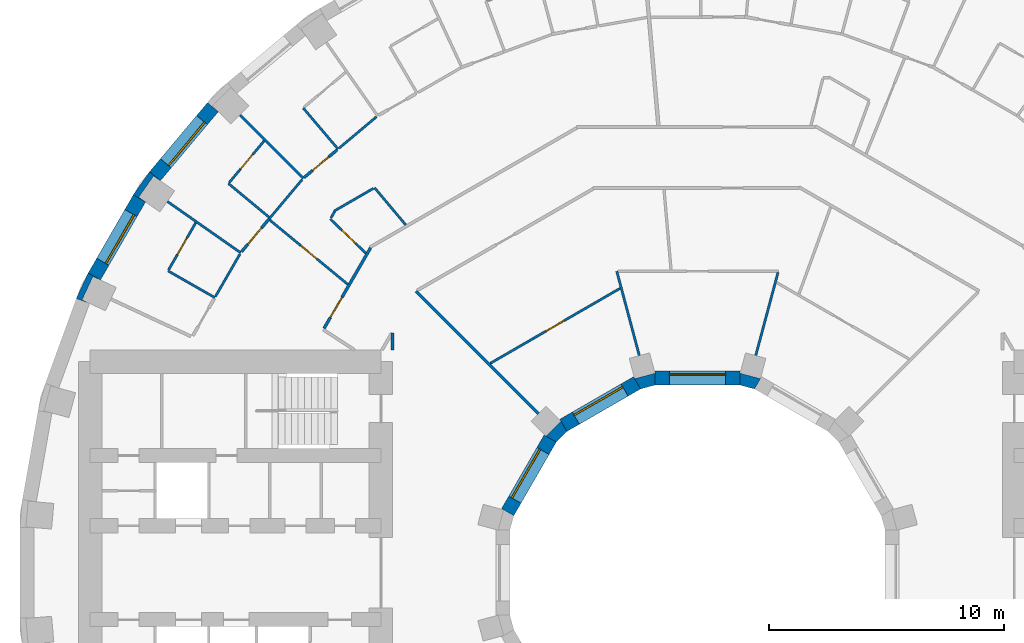
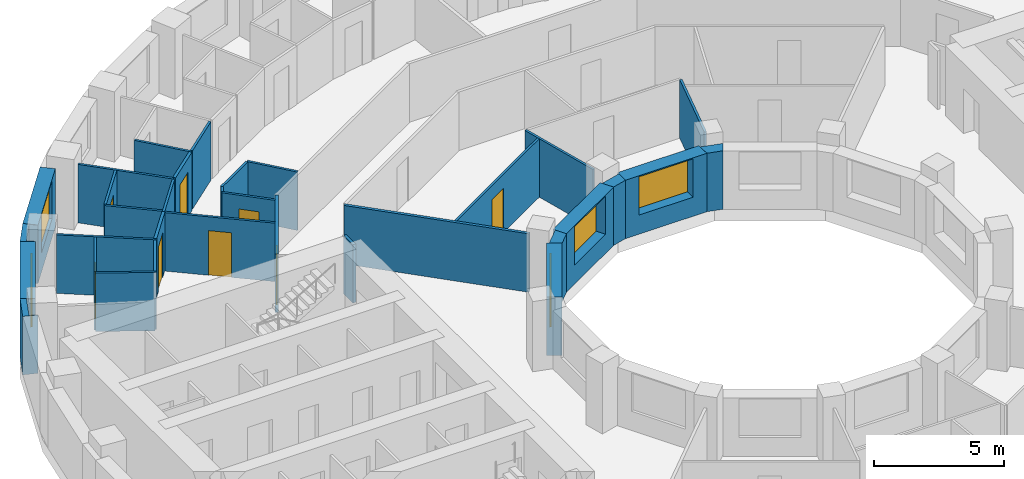
# One storey, part 10 of 15: 33 walls, 8 doors, 5 windows, 13 openings.
"""IFC4 building model written with IfcOpenShell, lengths in metres."""

from ifc_helpers import new_model, si_unit, direction, frame, frame_2d, origin, place, context, subcontext, project, spatial, polyline, rectangle, outline, extrude, material, layer, layer_set, type_object, element, fill, save


model = new_model("IFC4")

# Units and contexts
model_context = context("Model", 3, precision=1e-05, world=origin(), true_north=direction((0.0, 1.0)))
body_context = subcontext(model_context, "Body", "Model", "MODEL_VIEW")
ifc_project = project(units=[si_unit("LENGTHUNIT", "METRE"), si_unit("AREAUNIT", "SQUARE_METRE"), si_unit("VOLUMEUNIT", "CUBIC_METRE"), si_unit("PLANEANGLEUNIT", "RADIAN"), si_unit("MASSUNIT", "GRAM", prefix="KILO")], contexts=[model_context])

# Site, building, storey
site_placement = place(None, origin())
site = spatial("IfcSite", under=ifc_project, at=site_placement, CompositionType="ELEMENT")
building_placement = place(site_placement, origin())
building = spatial("IfcBuilding", under=site, at=building_placement, Name="Saqina Gate Tower", CompositionType="ELEMENT")
storey_placement = place(building_placement, frame((0.0, 0.0, 62.60009765625)))
storey = spatial("IfcBuildingStorey", under=building, at=storey_placement, Name="L17", CompositionType="ELEMENT", Elevation=62.60009765625)

# Walls
ifc_material_1 = material(Name="Brick masonry (red)", Category="masonry")
wall_type_1 = type_object("IfcWallType", Name="BRICK PIER COPING RED", PredefinedType="SOLIDWALL", material=ifc_material_1)
wall_1_placement = place(storey_placement, origin())
element("IfcWall", 1, at=wall_1_placement, inside=storey, type_object=wall_type_1, Name="Pier cap L17 column 15", PredefinedType="SOLIDWALL", context=body_context, shape_type="SweptSolid", body=[
    extrude(outline(polyline([(-23.36669921875, 17.096923828125), (-24.0576171875, 16.110107421875), (-23.5380859375, 15.81005859375), (-23.8251953125, 16.010986328125), (-23.194091796875, 16.912109375), (-22.9072265625, 16.711181640625), (-23.36669921875, 17.096923828125)])), origin(), (0.0, 0.0, 1.0), 2.75),
])
wall_2_placement = place(storey_placement, origin())
element("IfcWall", 2, at=wall_2_placement, inside=storey, type_object=wall_type_1, Name="Pier cap L17 column 16", PredefinedType="SOLIDWALL", context=body_context, shape_type="SweptSolid", body=[
    extrude(outline(polyline([(-26.48974609375, 11.687744140625), (-25.92578125, 11.482666015625), (-26.243408203125, 11.630615234375), (-25.778564453125, 12.627685546875), (-25.4609375, 12.4794921875), (-25.980712890625, 12.779541015625), (-26.48974609375, 11.687744140625)])), origin(), (0.0, 0.0, 1.0), 2.75),
])

# Wall, opening, window
ifc_material_2 = material(Name="Brick masonry (red)", Category="masonry")
ifc_layer_1 = layer(ifc_material_2, 0.60009765625)
ifc_layer_set_1 = layer_set([ifc_layer_1], Name="FW-BRICK-RED")
wall_type_2 = type_object("IfcWallType", Name="FW-BRICK-RED", PredefinedType="SOLIDWALL", material=ifc_layer_set_1)
wall_3_placement = place(storey_placement, frame((-20.664794921875, 19.85009765625, 0.0), z_axis=(0.0, 0.0, 1.0), x_axis=(-0.642809392687, -0.766026164483, 0.0)))
wall_3 = element("IfcWall", 3, at=wall_3_placement, inside=storey, type_object=wall_type_2, Name="Facade wall L17 facet 14", PredefinedType="SOLIDWALL", context=body_context, shape_type="SweptSolid", body=[
    extrude(rectangle(XDim=3.845947265625, YDim=0.60009765625, at=frame_2d((1.9228515625, 0.0))), origin(), (0.0, 0.0, 1.0), 2.75),
])
opening_1_placement = place(wall_3_placement, frame((0.722900390625, 0.0, 0.89990234375)))
opening_1 = element("IfcOpeningElement", 4, at=opening_1_placement, cuts=wall_3, Name="Opening G04-W09", PredefinedType="OPENING", context=body_context, shape_type="SweptSolid", body=[
    extrude(rectangle(XDim=2.39990234375, YDim=1.800048828125, at=frame_2d((1.199951171875, 0.89990234375))), frame((0.0, 0.31201171875, 0.0), z_axis=(0.0, -1.0, 0.0), x_axis=(1.0, 0.0, 0.0)), (0.0, 0.0, 1.0), 0.6240234375),
])
ifc_material_3 = material(Name="Aluminium glazing", Category="aluminium")
window_type_1 = type_object("IfcWindowType", Name="WN-A", PartitioningType="SINGLE_PANEL", PredefinedType="WINDOW", material=ifc_material_3)
window_1_placement = place(opening_1_placement, origin())
window_1 = element("IfcWindow", 5, at=window_1_placement, inside=storey, type_object=window_type_1, Name="Window L17 facet 14", OverallHeight=1.800048828125, OverallWidth=2.39990234375, PartitioningType="SINGLE_PANEL", PredefinedType="WINDOW", context=body_context, shape_type="SweptSolid", body=[
    extrude(rectangle(XDim=2.39990234375, YDim=1.800048828125, at=frame_2d((1.199951171875, 0.89990234375))), frame((0.0, 0.179931640625, 0.0), z_axis=(0.0, -1.0, 0.0), x_axis=(1.0, 0.0, 0.0)), (0.0, 0.0, 1.0), 0.06005859375),
])
fill(opening_1, window_1)

wall_4_placement = place(storey_placement, frame((-23.7978515625, 15.960205078125, 0.0), z_axis=(0.0, 0.0, 1.0), x_axis=(-0.499989888488, -0.86603124159, 0.0)))
wall_4 = element("IfcWall", 6, at=wall_4_placement, inside=storey, type_object=wall_type_2, Name="Facade wall L17 facet 15", PredefinedType="SOLIDWALL", context=body_context, shape_type="SweptSolid", body=[
    extrude(rectangle(XDim=3.845703125, YDim=0.60009765625, at=frame_2d((1.9228515625, 0.0))), origin(), (0.0, 0.0, 1.0), 2.75),
])
opening_2_placement = place(wall_4_placement, frame((0.722900390625, 0.0, 0.89990234375)))
opening_2 = element("IfcOpeningElement", 7, at=opening_2_placement, cuts=wall_4, Name="Opening G04-W10", PredefinedType="OPENING", context=body_context, shape_type="SweptSolid", body=[
    extrude(rectangle(XDim=2.39990234375, YDim=1.800048828125, at=frame_2d((1.199951171875, 0.89990234375))), frame((0.0, 0.31201171875, 0.0), z_axis=(0.0, -1.0, 0.0), x_axis=(1.0, 0.0, 0.0)), (0.0, 0.0, 1.0), 0.6240234375),
])
window_2_placement = place(opening_2_placement, origin())
window_2 = element("IfcWindow", 8, at=window_2_placement, inside=storey, type_object=window_type_1, Name="Window L17 facet 15", OverallHeight=1.800048828125, OverallWidth=2.39990234375, PartitioningType="SINGLE_PANEL", PredefinedType="WINDOW", context=body_context, shape_type="SweptSolid", body=[
    extrude(rectangle(XDim=2.39990234375, YDim=1.800048828125, at=frame_2d((1.199951171875, 0.89990234375))), frame((0.0, 0.179931640625, 0.0), z_axis=(0.0, -1.0, 0.0), x_axis=(1.0, 0.0, 0.0)), (0.0, 0.0, 1.0), 0.06005859375),
])
fill(opening_2, window_2)

ifc_material_4 = material(Name="Glazed ceramic tile", Category="ceramic")
ifc_layer_2 = layer(ifc_material_4, 0.60009765625)
ifc_layer_set_2 = layer_set([ifc_layer_2], Name="IW-TILE")
wall_type_3 = type_object("IfcWallType", Name="IW-TILE", PredefinedType="SOLIDWALL", material=ifc_layer_set_2)
wall_5_placement = place(storey_placement, frame((1.8125, 8.300048828125, 0.0), z_axis=(0.0, 0.0, 1.0), x_axis=(-1.0, 0.0, 0.0)))
wall_5 = element("IfcWall", 9, at=wall_5_placement, inside=storey, type_object=wall_type_3, Name="Well wall L17 facet 3", PredefinedType="SOLIDWALL", context=body_context, shape_type="SweptSolid", body=[
    extrude(rectangle(XDim=3.625, YDim=0.60009765625, at=frame_2d((1.8125, 0.0))), origin(), (0.0, 0.0, 1.0), 2.75),
])
opening_3_placement = place(wall_5_placement, frame((0.612548828125, 0.0, 0.89990234375)))
opening_3 = element("IfcOpeningElement", 10, at=opening_3_placement, cuts=wall_5, Name="Opening G04-W26", PredefinedType="OPENING", context=body_context, shape_type="SweptSolid", body=[
    extrude(rectangle(XDim=2.39990234375, YDim=1.800048828125, at=frame_2d((1.199951171875, 0.89990234375))), frame((0.0, 0.31201171875, 0.0), z_axis=(0.0, -1.0, 0.0), x_axis=(1.0, 0.0, 0.0)), (0.0, 0.0, 1.0), 0.6240234375),
])
ifc_material_5 = material(Name="Aluminium glazing", Category="aluminium")
window_type_2 = type_object("IfcWindowType", Name="WN-W", PartitioningType="SINGLE_PANEL", PredefinedType="WINDOW", material=ifc_material_5)
window_3_placement = place(opening_3_placement, origin())
window_3 = element("IfcWindow", 11, at=window_3_placement, inside=storey, type_object=window_type_2, Name="Well window L17 facet 3", OverallHeight=1.800048828125, OverallWidth=2.39990234375, PartitioningType="SINGLE_PANEL", PredefinedType="WINDOW", context=body_context, shape_type="SweptSolid", body=[
    extrude(rectangle(XDim=2.39990234375, YDim=1.800048828125, at=frame_2d((1.199951171875, 0.89990234375))), frame((0.0, -0.119873046875, 0.0), z_axis=(0.0, -1.0, 0.0), x_axis=(1.0, 0.0, 0.0)), (0.0, 0.0, 1.0), 0.06005859375),
])
fill(opening_3, window_3)

wall_6_placement = place(storey_placement, frame((-2.580322265625, 8.09423828125, 0.0), z_axis=(0.0, 0.0, 1.0), x_axis=(-0.866029693906, -0.499992569217, 0.0)))
wall_6 = element("IfcWall", 12, at=wall_6_placement, inside=storey, type_object=wall_type_3, Name="Well wall L17 facet 4", PredefinedType="SOLIDWALL", context=body_context, shape_type="SweptSolid", body=[
    extrude(rectangle(XDim=3.625, YDim=0.60009765625, at=frame_2d((1.8125, 0.0))), origin(), (0.0, 0.0, 1.0), 2.75),
])
opening_4_placement = place(wall_6_placement, frame((0.612548828125, 0.0, 0.89990234375)))
opening_4 = element("IfcOpeningElement", 13, at=opening_4_placement, cuts=wall_6, Name="Opening G04-W27", PredefinedType="OPENING", context=body_context, shape_type="SweptSolid", body=[
    extrude(rectangle(XDim=2.39990234375, YDim=1.800048828125, at=frame_2d((1.199951171875, 0.89990234375))), frame((0.0, 0.31201171875, 0.0), z_axis=(0.0, -1.0, 0.0), x_axis=(1.0, 0.0, 0.0)), (0.0, 0.0, 1.0), 0.6240234375),
])
window_4_placement = place(opening_4_placement, origin())
window_4 = element("IfcWindow", 14, at=window_4_placement, inside=storey, type_object=window_type_2, Name="Well window L17 facet 4", OverallHeight=1.800048828125, OverallWidth=2.39990234375, PartitioningType="SINGLE_PANEL", PredefinedType="WINDOW", context=body_context, shape_type="SweptSolid", body=[
    extrude(rectangle(XDim=2.39990234375, YDim=1.800048828125, at=frame_2d((1.199951171875, 0.89990234375))), frame((0.0, -0.119873046875, 0.0), z_axis=(0.0, -1.0, 0.0), x_axis=(1.0, 0.0, 0.0)), (0.0, 0.0, 1.0), 0.06005859375),
])
fill(opening_4, window_4)

wall_7_placement = place(storey_placement, frame((-6.28173828125, 5.7197265625, 0.0), z_axis=(0.0, 0.0, 1.0), x_axis=(-0.499992569217, -0.866029693906, 0.0)))
wall_7 = element("IfcWall", 15, at=wall_7_placement, inside=storey, type_object=wall_type_3, Name="Well wall L17 facet 5", PredefinedType="SOLIDWALL", context=body_context, shape_type="SweptSolid", body=[
    extrude(rectangle(XDim=3.625, YDim=0.60009765625, at=frame_2d((1.8125, 0.0))), origin(), (0.0, 0.0, 1.0), 2.75),
])
opening_5_placement = place(wall_7_placement, frame((0.612548828125, 0.0, 0.89990234375)))
opening_5 = element("IfcOpeningElement", 16, at=opening_5_placement, cuts=wall_7, Name="Opening G04-W28", PredefinedType="OPENING", context=body_context, shape_type="SweptSolid", body=[
    extrude(rectangle(XDim=2.39990234375, YDim=1.800048828125, at=frame_2d((1.199951171875, 0.89990234375))), frame((0.0, 0.31201171875, 0.0), z_axis=(0.0, -1.0, 0.0), x_axis=(1.0, 0.0, 0.0)), (0.0, 0.0, 1.0), 0.6240234375),
])
window_5_placement = place(opening_5_placement, origin())
window_5 = element("IfcWindow", 17, at=window_5_placement, inside=storey, type_object=window_type_2, Name="Well window L17 facet 5", OverallHeight=1.800048828125, OverallWidth=2.39990234375, PartitioningType="SINGLE_PANEL", PredefinedType="WINDOW", context=body_context, shape_type="SweptSolid", body=[
    extrude(rectangle(XDim=2.39990234375, YDim=1.800048828125, at=frame_2d((1.199951171875, 0.89990234375))), frame((0.0, -0.119873046875, 0.0), z_axis=(0.0, -1.0, 0.0), x_axis=(1.0, 0.0, 0.0)), (0.0, 0.0, 1.0), 0.06005859375),
])
fill(opening_5, window_5)

# Walls
ifc_material_6 = material(Name="Gypsum board on steel studs, 100 mm", Category="steel")
ifc_layer_3 = layer(ifc_material_6, 0.10009765625)
ifc_layer_set_3 = layer_set([ifc_layer_3], Name="PARTITION 100")
wall_type_4 = type_object("IfcWallType", Name="PARTITION 100", PredefinedType="PARTITIONING", material=ifc_layer_set_3)
wall_8_placement = place(storey_placement, frame((-3.443115234375, 12.85009765625, 0.0), z_axis=(0.0, 0.0, 1.0), x_axis=(0.258137576588, -0.966108167626, 0.0)))
element("IfcWall", 18, at=wall_8_placement, inside=storey, type_object=wall_type_4, Name="PARTITION PW3-10", PredefinedType="PARTITIONING", context=body_context, shape_type="SweptSolid", body=[
    extrude(rectangle(XDim=3.711181640625, YDim=0.10009765625, at=frame_2d((1.85546875, 0.0))), origin(), (0.0, 0.0, 1.0), 2.75),
])
wall_9_placement = place(storey_placement, frame((-13.77197265625, 16.4130859375, 0.0), z_axis=(0.0, 0.0, 1.0), x_axis=(0.642721705291, -0.766099738643, 0.0)))
element("IfcWall", 19, at=wall_9_placement, inside=storey, type_object=wall_type_4, Name="PARTITION PW3-22", PredefinedType="PARTITIONING", context=body_context, shape_type="SweptSolid", body=[
    extrude(rectangle(XDim=2.06982421875, YDim=0.10009765625, at=frame_2d((1.034912109375, 0.0))), origin(), (0.0, 0.0, 1.0), 2.75),
])
wall_10_placement = place(storey_placement, frame((-16.81689453125, 19.81591796875, 0.0), z_axis=(0.0, 0.0, 1.0), x_axis=(0.646883930741, -0.762588473653, 0.0)))
element("IfcWall", 20, at=wall_10_placement, inside=storey, type_object=wall_type_4, Name="PARTITION PW3-23", PredefinedType="PARTITIONING", context=body_context, shape_type="SweptSolid", body=[
    extrude(rectangle(XDim=2.300048828125, YDim=0.10009765625, at=frame_2d((1.14990234375, 0.0))), origin(), (0.0, 0.0, 1.0), 2.75),
])
wall_11_placement = place(storey_placement, frame((-19.509033203125, 19.509033203125, 0.0), z_axis=(0.0, 0.0, 1.0), x_axis=(0.707106781187, -0.707106781187, 0.0)))
element("IfcWall", 21, at=wall_11_placement, inside=storey, type_object=wall_type_4, Name="PARTITION PW3-25", PredefinedType="PARTITIONING", context=body_context, shape_type="SweptSolid", body=[
    extrude(rectangle(XDim=3.81005859375, YDim=0.10009765625, at=frame_2d((1.905029296875, 0.0))), origin(), (0.0, 0.0, 1.0), 2.75),
])

# Wall, opening, door
wall_12_placement = place(storey_placement, frame((-15.657958984375, 15.077880859375, 0.0), z_axis=(0.0, 0.0, 1.0), x_axis=(0.720406258369, -0.693552321676, 0.0)))
wall_12 = element("IfcWall", 22, at=wall_12_placement, inside=storey, type_object=wall_type_4, Name="PARTITION PW3-27", PredefinedType="PARTITIONING", context=body_context, shape_type="SweptSolid", body=[
    extrude(rectangle(XDim=2.10009765625, YDim=0.10009765625, at=frame_2d((1.050048828125, 0.0))), origin(), (0.0, 0.0, 1.0), 2.75),
])
opening_6_placement = place(wall_12_placement, frame((0.681396484375, 0.0, 0.0)))
opening_6 = element("IfcOpeningElement", 23, at=opening_6_placement, cuts=wall_12, Name="Opening G04-D30", PredefinedType="OPENING", context=body_context, shape_type="SweptSolid", body=[
    extrude(rectangle(XDim=0.800048828125, YDim=2.10009765625, at=frame_2d((0.39990234375, 1.050048828125))), frame((0.0, 0.06201171875, 0.0), z_axis=(0.0, -1.0, 0.0), x_axis=(1.0, 0.0, 0.0)), (0.0, 0.0, 1.0), 0.1240234375),
])
ifc_material_7 = material(Name="Timber door leaf, 800 mm", Category="wood")
door_type_1 = type_object("IfcDoorType", Name="DOOR 800 TIMBER", OperationType="SINGLE_SWING_LEFT", PredefinedType="DOOR", material=ifc_material_7)
door_1_placement = place(opening_6_placement, frame((0.800048828125, 0.0, 0.0), z_axis=(0.0, 0.0, 1.0), x_axis=(-1.0, 0.0, 0.0)))
door_1 = element("IfcDoor", 24, at=door_1_placement, inside=storey, type_object=door_type_1, Name="DOOR G04-D30", OperationType="SINGLE_SWING_LEFT", OverallHeight=2.10009765625, OverallWidth=0.800048828125, PredefinedType="DOOR", context=body_context, shape_type="SweptSolid", body=[
    extrude(rectangle(XDim=0.800048828125, YDim=2.10009765625, at=frame_2d((0.39990234375, 1.050048828125))), frame((0.0, 0.02490234375, 0.0), z_axis=(0.0, -1.0, 0.0), x_axis=(1.0, 0.0, 0.0)), (0.0, 0.0, 1.0), 0.050048828125),
])
fill(opening_6, door_1)

# Wall
wall_13_placement = place(storey_placement, frame((-20.0029296875, 16.593994140625, 0.0), z_axis=(0.0, 0.0, 1.0), x_axis=(0.769713734446, -0.638389197125, 0.0)))
element("IfcWall", 25, at=wall_13_placement, inside=storey, type_object=wall_type_4, Name="PARTITION PW3-32", PredefinedType="PARTITIONING", context=body_context, shape_type="SweptSolid", body=[
    extrude(rectangle(XDim=2.24951171875, YDim=0.10009765625, at=frame_2d((1.124755859375, 0.0))), origin(), (0.0, 0.0, 1.0), 2.75),
])

# Wall, opening, door
wall_14_placement = place(storey_placement, frame((-18.231689453125, 15.029296875, 0.0), z_axis=(0.0, 0.0, 1.0), x_axis=(0.771607312324, -0.636099171174, 0.0)))
wall_14 = element("IfcWall", 26, at=wall_14_placement, inside=storey, type_object=wall_type_4, Name="PARTITION PW3-34", PredefinedType="PARTITIONING", context=body_context, shape_type="SweptSolid", body=[
    extrude(rectangle(XDim=4.300537109375, YDim=0.10009765625, at=frame_2d((2.150390625, 0.0))), origin(), (0.0, 0.0, 1.0), 2.75),
])
opening_7_placement = place(wall_14_placement, frame((1.7001953125, 0.0, 0.0)))
opening_7 = element("IfcOpeningElement", 27, at=opening_7_placement, cuts=wall_14, Name="Opening G04-D32", PredefinedType="OPENING", context=body_context, shape_type="SweptSolid", body=[
    extrude(rectangle(XDim=0.89990234375, YDim=2.10009765625, at=frame_2d((0.449951171875, 1.050048828125))), frame((0.0, 0.06201171875, 0.0), z_axis=(0.0, -1.0, 0.0), x_axis=(1.0, 0.0, 0.0)), (0.0, 0.0, 1.0), 0.1240234375),
])
ifc_material_8 = material(Name="Timber door leaf, 900 mm", Category="wood")
door_type_2 = type_object("IfcDoorType", Name="DOOR 900 TIMBER", OperationType="SINGLE_SWING_LEFT", PredefinedType="DOOR", material=ifc_material_8)
door_2_placement = place(opening_7_placement, origin())
door_2 = element("IfcDoor", 28, at=door_2_placement, inside=storey, type_object=door_type_2, Name="DOOR G04-D32", OperationType="SINGLE_SWING_LEFT", OverallHeight=2.10009765625, OverallWidth=0.89990234375, PredefinedType="DOOR", context=body_context, shape_type="SweptSolid", body=[
    extrude(rectangle(XDim=0.89990234375, YDim=2.10009765625, at=frame_2d((0.449951171875, 1.050048828125))), frame((0.0, 0.02490234375, 0.0), z_axis=(0.0, -1.0, 0.0), x_axis=(1.0, 0.0, 0.0)), (0.0, 0.0, 1.0), 0.050048828125),
])
fill(opening_7, door_2)

# Walls
wall_15_placement = place(storey_placement, frame((-22.6005859375, 15.824951171875, 0.0), z_axis=(0.0, 0.0, 1.0), x_axis=(0.819153632733, -0.573574167811, 0.0)))
element("IfcWall", 29, at=wall_15_placement, inside=storey, type_object=wall_type_4, Name="PARTITION PW3-36", PredefinedType="PARTITIONING", context=body_context, shape_type="SweptSolid", body=[
    extrude(rectangle(XDim=3.8095703125, YDim=0.10009765625, at=frame_2d((1.90478515625, 0.0))), origin(), (0.0, 0.0, 1.0), 2.75),
])
wall_16_placement = place(storey_placement, frame((-22.580078125, 12.868896484375, 0.0), z_axis=(0.0, 0.0, 1.0), x_axis=(0.868771789729, -0.495212658735, 0.0)))
element("IfcWall", 30, at=wall_16_placement, inside=storey, type_object=wall_type_4, Name="PARTITION PW3-45", PredefinedType="PARTITIONING", context=body_context, shape_type="SweptSolid", body=[
    extrude(rectangle(XDim=2.2998046875, YDim=0.10009765625, at=frame_2d((1.14990234375, 0.0))), origin(), (0.0, 0.0, 1.0), 2.75),
])

# Wall, opening, door
wall_17_placement = place(storey_placement, frame((-8.83984375, 8.92529296875, 0.0), z_axis=(0.0, 0.0, 1.0), x_axis=(0.865965699973, 0.50010339578, 0.0)))
wall_17 = element("IfcWall", 31, at=wall_17_placement, inside=storey, type_object=wall_type_4, Name="PARTITION PW3-75", PredefinedType="PARTITIONING", context=body_context, shape_type="SweptSolid", body=[
    extrude(rectangle(XDim=6.398193359375, YDim=0.10009765625, at=frame_2d((3.19921875, 0.0))), origin(), (0.0, 0.0, 1.0), 2.75),
])
opening_8_placement = place(wall_17_placement, frame((2.742919921875, 0.0, 0.0)))
opening_8 = element("IfcOpeningElement", 32, at=opening_8_placement, cuts=wall_17, Name="Opening G04-D25", PredefinedType="OPENING", context=body_context, shape_type="SweptSolid", body=[
    extrude(rectangle(XDim=0.89990234375, YDim=2.10009765625, at=frame_2d((0.449951171875, 1.050048828125))), frame((0.0, 0.06201171875, 0.0), z_axis=(0.0, -1.0, 0.0), x_axis=(1.0, 0.0, 0.0)), (0.0, 0.0, 1.0), 0.1240234375),
])
door_3_placement = place(opening_8_placement, origin())
door_3 = element("IfcDoor", 33, at=door_3_placement, inside=storey, type_object=door_type_2, Name="DOOR G04-D25", OperationType="SINGLE_SWING_LEFT", OverallHeight=2.10009765625, OverallWidth=0.89990234375, PredefinedType="DOOR", context=body_context, shape_type="SweptSolid", body=[
    extrude(rectangle(XDim=0.89990234375, YDim=2.10009765625, at=frame_2d((0.449951171875, 1.050048828125))), frame((0.0, 0.02490234375, 0.0), z_axis=(0.0, -1.0, 0.0), x_axis=(1.0, 0.0, 0.0)), (0.0, 0.0, 1.0), 0.050048828125),
])
fill(opening_8, door_3)

# Walls
wall_18_placement = place(storey_placement, frame((-15.49609375, 15.4169921875, 0.0), z_axis=(0.0, 0.0, 1.0), x_axis=(0.865919547832, 0.500183303083, 0.0)))
element("IfcWall", 34, at=wall_18_placement, inside=storey, type_object=wall_type_4, Name="PARTITION PW3-76", PredefinedType="PARTITIONING", context=body_context, shape_type="SweptSolid", body=[
    extrude(rectangle(XDim=1.941162109375, YDim=0.10009765625, at=frame_2d((0.970703125, 0.0))), origin(), (0.0, 0.0, 1.0), 2.75),
])
wall_19_placement = place(storey_placement, frame((-15.290771484375, 18.09423828125, 0.0), z_axis=(0.0, 0.0, 1.0), x_axis=(0.765911671875, 0.642945807114, 0.0)))
element("IfcWall", 35, at=wall_19_placement, inside=storey, type_object=wall_type_4, Name="PARTITION PW3-81", PredefinedType="PARTITIONING", context=body_context, shape_type="SweptSolid", body=[
    extrude(rectangle(XDim=2.092529296875, YDim=0.10009765625, at=frame_2d((1.04638671875, 0.0))), origin(), (0.0, 0.0, 1.0), 2.75),
])
wall_20_placement = place(storey_placement, frame((-18.264892578125, 15.08740234375, 0.0), z_axis=(0.0, 0.0, 1.0), x_axis=(0.643038029584, 0.765834246106, 0.0)))
element("IfcWall", 36, at=wall_20_placement, inside=storey, type_object=wall_type_4, Name="PARTITION PW3-87", PredefinedType="PARTITIONING", context=body_context, shape_type="SweptSolid", body=[
    extrude(rectangle(XDim=2.19287109375, YDim=0.10009765625, at=frame_2d((1.096435546875, 0.0))), origin(), (0.0, 0.0, 1.0), 2.75),
])

# Wall, opening, door
wall_21_placement = place(storey_placement, frame((-19.970947265625, 16.63232421875, 0.0), z_axis=(0.0, 0.0, 1.0), x_axis=(0.642624220064, 0.766181513603, 0.0)))
wall_21 = element("IfcWall", 37, at=wall_21_placement, inside=storey, type_object=wall_type_4, Name="PARTITION PW3-88", PredefinedType="PARTITIONING", context=body_context, shape_type="SweptSolid", body=[
    extrude(rectangle(XDim=2.31982421875, YDim=0.10009765625, at=frame_2d((1.159912109375, 0.0))), origin(), (0.0, 0.0, 1.0), 2.75),
])
opening_9_placement = place(wall_21_placement, frame((0.760009765625, 0.0, 0.0)))
opening_9 = element("IfcOpeningElement", 38, at=opening_9_placement, cuts=wall_21, Name="Opening G04-D31", PredefinedType="OPENING", context=body_context, shape_type="SweptSolid", body=[
    extrude(rectangle(XDim=0.800048828125, YDim=2.10009765625, at=frame_2d((0.39990234375, 1.050048828125))), frame((0.0, 0.06201171875, 0.0), z_axis=(0.0, -1.0, 0.0), x_axis=(1.0, 0.0, 0.0)), (0.0, 0.0, 1.0), 0.1240234375),
])
door_4_placement = place(opening_9_placement, origin())
door_4 = element("IfcDoor", 39, at=door_4_placement, inside=storey, type_object=door_type_1, Name="DOOR G04-D31", OperationType="SINGLE_SWING_RIGHT", OverallHeight=2.10009765625, OverallWidth=0.800048828125, PredefinedType="DOOR", context=body_context, shape_type="SweptSolid", body=[
    extrude(rectangle(XDim=0.800048828125, YDim=2.10009765625, at=frame_2d((0.39990234375, 1.050048828125))), frame((0.0, 0.02490234375, 0.0), z_axis=(0.0, -1.0, 0.0), x_axis=(1.0, 0.0, 0.0)), (0.0, 0.0, 1.0), 0.050048828125),
])
fill(opening_9, door_4)

# Wall
wall_22_placement = place(storey_placement, frame((-20.55712890625, 11.773193359375, 0.0), z_axis=(0.0, 0.0, 1.0), x_axis=(0.499752749986, 0.866168106594, 0.0)))
element("IfcWall", 40, at=wall_22_placement, inside=storey, type_object=wall_type_4, Name="PARTITION PW3-94", PredefinedType="PARTITIONING", context=body_context, shape_type="SweptSolid", body=[
    extrude(rectangle(XDim=2.0927734375, YDim=0.10009765625, at=frame_2d((1.04638671875, 0.0))), origin(), (0.0, 0.0, 1.0), 2.75),
])

# Wall, opening, door
wall_23_placement = place(storey_placement, frame((-22.554931640625, 12.912353515625, 0.0), z_axis=(0.0, 0.0, 1.0), x_axis=(0.499819678633, 0.866129487347, 0.0)))
wall_23 = element("IfcWall", 41, at=wall_23_placement, inside=storey, type_object=wall_type_4, Name="PARTITION PW3-95", PredefinedType="PARTITIONING", context=body_context, shape_type="SweptSolid", body=[
    extrude(rectangle(XDim=2.318603515625, YDim=0.10009765625, at=frame_2d((1.1591796875, 0.0))), origin(), (0.0, 0.0, 1.0), 2.75),
])
opening_10_placement = place(wall_23_placement, frame((0.759521484375, 0.0, 0.0)))
opening_10 = element("IfcOpeningElement", 42, at=opening_10_placement, cuts=wall_23, Name="Opening G04-D35", PredefinedType="OPENING", context=body_context, shape_type="SweptSolid", body=[
    extrude(rectangle(XDim=0.800048828125, YDim=2.10009765625, at=frame_2d((0.39990234375, 1.050048828125))), frame((0.0, 0.06201171875, 0.0), z_axis=(0.0, -1.0, 0.0), x_axis=(1.0, 0.0, 0.0)), (0.0, 0.0, 1.0), 0.1240234375),
])
door_5_placement = place(opening_10_placement, origin())
door_5 = element("IfcDoor", 43, at=door_5_placement, inside=storey, type_object=door_type_1, Name="DOOR G04-D35", OperationType="SINGLE_SWING_LEFT", OverallHeight=2.10009765625, OverallWidth=0.800048828125, PredefinedType="DOOR", context=body_context, shape_type="SweptSolid", body=[
    extrude(rectangle(XDim=0.800048828125, YDim=2.10009765625, at=frame_2d((0.39990234375, 1.050048828125))), frame((0.0, 0.02490234375, 0.0), z_axis=(0.0, -1.0, 0.0), x_axis=(1.0, 0.0, 0.0)), (0.0, 0.0, 1.0), 0.050048828125),
])
fill(opening_10, door_5)

# Walls
wall_24_placement = place(storey_placement, frame((-15.633056640625, 15.121337890625, 0.0), z_axis=(0.0, 0.0, 1.0), x_axis=(0.499375175205, 0.866385846139, 0.0)))
element("IfcWall", 44, at=wall_24_placement, inside=storey, type_object=wall_type_4, Name="PARTITION PW3-96", PredefinedType="PARTITIONING", context=body_context, shape_type="SweptSolid", body=[
    extrude(rectangle(XDim=0.32470703125, YDim=0.10009765625, at=frame_2d((0.162353515625, 0.0))), origin(), (0.0, 0.0, 1.0), 2.75),
])
wall_25_placement = place(storey_placement, frame((2.48291015625, 9.265380859375, 0.0), z_axis=(0.0, 0.0, 1.0), x_axis=(0.258882752153, 0.965908753784, 0.0)))
element("IfcWall", 45, at=wall_25_placement, inside=storey, type_object=wall_type_4, Name="PARTITION PW3-107", PredefinedType="PARTITIONING", context=body_context, shape_type="SweptSolid", body=[
    extrude(rectangle(XDim=3.660888671875, YDim=0.10009765625, at=frame_2d((1.83056640625, 0.0))), origin(), (0.0, 0.0, 1.0), 2.75),
])
ifc_material_9 = material(Name="Gypsum board on steel studs, 125 mm, fire rated", Category="steel")
ifc_layer_4 = layer(ifc_material_9, 0.125)
ifc_layer_set_4 = layer_set([ifc_layer_4], Name="PARTITION EI 30 125")
wall_type_5 = type_object("IfcWallType", Name="PARTITION EI 30 125", PredefinedType="PARTITIONING", material=ifc_layer_set_4)
wall_26_placement = place(storey_placement, frame((-12.006103515625, 12.006103515625, 0.0), z_axis=(0.0, 0.0, 1.0), x_axis=(0.707106781187, -0.707106781187, 0.0)))
element("IfcWall", 46, at=wall_26_placement, inside=storey, type_object=wall_type_5, Name="PARTITION PW1-05", PredefinedType="PARTITIONING", context=body_context, shape_type="SweptSolid", body=[
    extrude(rectangle(XDim=7.386962890625, YDim=0.125, at=frame_2d((3.693359375, 0.0))), origin(), (0.0, 0.0, 1.0), 2.75),
])

# Wall, opening, door
wall_27_placement = place(storey_placement, frame((-16.776611328125, 16.84716796875, 0.0), z_axis=(0.0, 0.0, 1.0), x_axis=(0.766052425686, 0.642778096314, 0.0)))
wall_27 = element("IfcWall", 47, at=wall_27_placement, inside=storey, type_object=wall_type_5, Name="PARTITION PW1-40", PredefinedType="PARTITIONING", context=body_context, shape_type="SweptSolid", body=[
    extrude(rectangle(XDim=1.83984375, YDim=0.125, at=frame_2d((0.919921875, 0.0))), origin(), (0.0, 0.0, 1.0), 2.75),
])
opening_11_placement = place(wall_27_placement, frame((0.469970703125, 0.0, 0.0)))
opening_11 = element("IfcOpeningElement", 48, at=opening_11_placement, cuts=wall_27, Name="Opening G04-D29", PredefinedType="OPENING", context=body_context, shape_type="SweptSolid", body=[
    extrude(rectangle(XDim=0.89990234375, YDim=2.10009765625, at=frame_2d((0.449951171875, 1.050048828125))), frame((0.0, 0.074462890625, 0.0), z_axis=(0.0, -1.0, 0.0), x_axis=(1.0, 0.0, 0.0)), (0.0, 0.0, 1.0), 0.14892578125),
])
ifc_material_10 = material(Name="Fire door leaf EI 30, 900 mm")
door_type_3 = type_object("IfcDoorType", Name="DOOR 900 EI 30", OperationType="SINGLE_SWING_LEFT", PredefinedType="DOOR", material=ifc_material_10)
door_6_placement = place(opening_11_placement, frame((0.89990234375, 0.0, 0.0), z_axis=(0.0, 0.0, 1.0), x_axis=(-1.0, 0.0, 0.0)))
door_6 = element("IfcDoor", 49, at=door_6_placement, inside=storey, type_object=door_type_3, Name="DOOR G04-D29", OperationType="SINGLE_SWING_RIGHT", OverallHeight=2.10009765625, OverallWidth=0.89990234375, PredefinedType="DOOR", context=body_context, shape_type="SweptSolid", body=[
    extrude(rectangle(XDim=0.89990234375, YDim=2.10009765625, at=frame_2d((0.449951171875, 1.050048828125))), frame((0.0, 0.02490234375, 0.0), z_axis=(0.0, -1.0, 0.0), x_axis=(1.0, 0.0, 0.0)), (0.0, 0.0, 1.0), 0.050048828125),
])
fill(opening_11, door_6)

wall_28_placement = place(storey_placement, frame((-19.44775390625, 13.67822265625, 0.0), z_axis=(0.0, 0.0, 1.0), x_axis=(0.642778096314, 0.766052425686, 0.0)))
wall_28 = element("IfcWall", 50, at=wall_28_placement, inside=storey, type_object=wall_type_5, Name="PARTITION PW1-45", PredefinedType="PARTITIONING", context=body_context, shape_type="SweptSolid", body=[
    extrude(rectangle(XDim=1.83984375, YDim=0.125, at=frame_2d((0.919921875, 0.0))), origin(), (0.0, 0.0, 1.0), 2.75),
])
opening_12_placement = place(wall_28_placement, frame((0.43310546875, 0.0, 0.0)))
opening_12 = element("IfcOpeningElement", 51, at=opening_12_placement, cuts=wall_28, Name="Opening G04-D33", PredefinedType="OPENING", context=body_context, shape_type="SweptSolid", body=[
    extrude(rectangle(XDim=0.89990234375, YDim=2.10009765625, at=frame_2d((0.449951171875, 1.050048828125))), frame((0.0, 0.074462890625, 0.0), z_axis=(0.0, -1.0, 0.0), x_axis=(1.0, 0.0, 0.0)), (0.0, 0.0, 1.0), 0.14892578125),
])
door_7_placement = place(opening_12_placement, frame((0.89990234375, 0.0, 0.0), z_axis=(0.0, 0.0, 1.0), x_axis=(-1.0, 0.0, 0.0)))
door_7 = element("IfcDoor", 52, at=door_7_placement, inside=storey, type_object=door_type_3, Name="DOOR G04-D33", OperationType="SINGLE_SWING_LEFT", OverallHeight=2.10009765625, OverallWidth=0.89990234375, PredefinedType="DOOR", context=body_context, shape_type="SweptSolid", body=[
    extrude(rectangle(XDim=0.89990234375, YDim=2.10009765625, at=frame_2d((0.449951171875, 1.050048828125))), frame((0.0, 0.02490234375, 0.0), z_axis=(0.0, -1.0, 0.0), x_axis=(1.0, 0.0, 0.0)), (0.0, 0.0, 1.0), 0.050048828125),
])
fill(opening_12, door_7)

wall_29_placement = place(storey_placement, frame((-15.92578125, 10.416015625, 0.0), z_axis=(0.0, 0.0, 1.0), x_axis=(0.500020477838, 0.866013580576, 0.0)))
wall_29 = element("IfcWall", 53, at=wall_29_placement, inside=storey, type_object=wall_type_5, Name="PARTITION PW1-50", PredefinedType="PARTITIONING", context=body_context, shape_type="SweptSolid", body=[
    extrude(rectangle(XDim=3.970947265625, YDim=0.125, at=frame_2d((1.9853515625, 0.0))), origin(), (0.0, 0.0, 1.0), 2.75),
])
opening_13_placement = place(wall_29_placement, frame((0.52978515625, 0.0, 0.0)))
opening_13 = element("IfcOpeningElement", 54, at=opening_13_placement, cuts=wall_29, Name="Opening G04-D34", PredefinedType="OPENING", context=body_context, shape_type="SweptSolid", body=[
    extrude(rectangle(XDim=1.0, YDim=2.10009765625, at=frame_2d((0.5, 1.050048828125))), frame((0.0, 0.074462890625, 0.0), z_axis=(0.0, -1.0, 0.0), x_axis=(1.0, 0.0, 0.0)), (0.0, 0.0, 1.0), 0.14892578125),
])
ifc_material_11 = material(Name="Fire door leaf EI 30, 1000 mm")
door_type_4 = type_object("IfcDoorType", Name="DOOR 1000 EI 30", OperationType="SINGLE_SWING_LEFT", PredefinedType="DOOR", material=ifc_material_11)
door_8_placement = place(opening_13_placement, origin())
door_8 = element("IfcDoor", 55, at=door_8_placement, inside=storey, type_object=door_type_4, Name="DOOR G04-D34", OperationType="SINGLE_SWING_RIGHT", OverallHeight=2.10009765625, OverallWidth=1.0, PredefinedType="DOOR", context=body_context, shape_type="SweptSolid", body=[
    extrude(rectangle(XDim=1.0, YDim=2.10009765625, at=frame_2d((0.5, 1.050048828125))), frame((0.0, 0.02490234375, 0.0), z_axis=(0.0, -1.0, 0.0), x_axis=(1.0, 0.0, 0.0)), (0.0, 0.0, 1.0), 0.050048828125),
])
fill(opening_13, door_8)

# Walls
wall_30_placement = place(storey_placement, frame((-13.0, 9.5, 0.0), z_axis=(0.0, 0.0, 1.0), x_axis=(0.0, 1.0, 0.0)))
element("IfcWall", 56, at=wall_30_placement, inside=storey, type_object=wall_type_5, Name="PARTITION PW1-55", PredefinedType="PARTITIONING", context=body_context, shape_type="SweptSolid", body=[
    extrude(rectangle(XDim=0.720458984375, YDim=0.125, at=frame_2d((0.3603515625, 0.0))), origin(), (0.0, 0.0, 1.0), 2.75),
])
ifc_material_12 = material(Name="Glazed ceramic tile", Category="ceramic")
wall_type_6 = type_object("IfcWallType", Name="TILE PIER COPING", PredefinedType="SOLIDWALL", material=ifc_material_12)
wall_31_placement = place(storey_placement, origin())
element("IfcWall", 57, at=wall_31_placement, inside=storey, type_object=wall_type_6, Name="Well pier cap L17 column 3", PredefinedType="SOLIDWALL", context=body_context, shape_type="SweptSolid", body=[
    extrude(outline(polyline([(1.8125, 8.502685546875), (1.8125, 8.0), (2.430419921875, 7.83447265625), (2.681884765625, 8.27001953125), (1.8125, 8.502685546875)])), origin(), (0.0, 0.0, 1.0), 2.75),
])
wall_32_placement = place(storey_placement, origin())
element("IfcWall", 58, at=wall_32_placement, inside=storey, type_object=wall_type_6, Name="Well pier cap L17 column 4", PredefinedType="SOLIDWALL", context=body_context, shape_type="SweptSolid", body=[
    extrude(outline(polyline([(-2.681884765625, 8.27001953125), (-2.430419921875, 7.83447265625), (-1.8125, 8.0), (-1.8125, 8.502685546875), (-2.681884765625, 8.27001953125)])), origin(), (0.0, 0.0, 1.0), 2.75),
])
wall_33_placement = place(storey_placement, origin())
element("IfcWall", 59, at=wall_33_placement, inside=storey, type_object=wall_type_6, Name="Well pier cap L17 column 5", PredefinedType="SOLIDWALL", context=body_context, shape_type="SweptSolid", body=[
    extrude(outline(polyline([(-6.45751953125, 5.821044921875), (-6.02197265625, 5.569580078125), (-5.569580078125, 6.02197265625), (-5.821044921875, 6.45751953125), (-6.45751953125, 5.821044921875)])), origin(), (0.0, 0.0, 1.0), 2.75),
])

save(model, "model.ifc")
